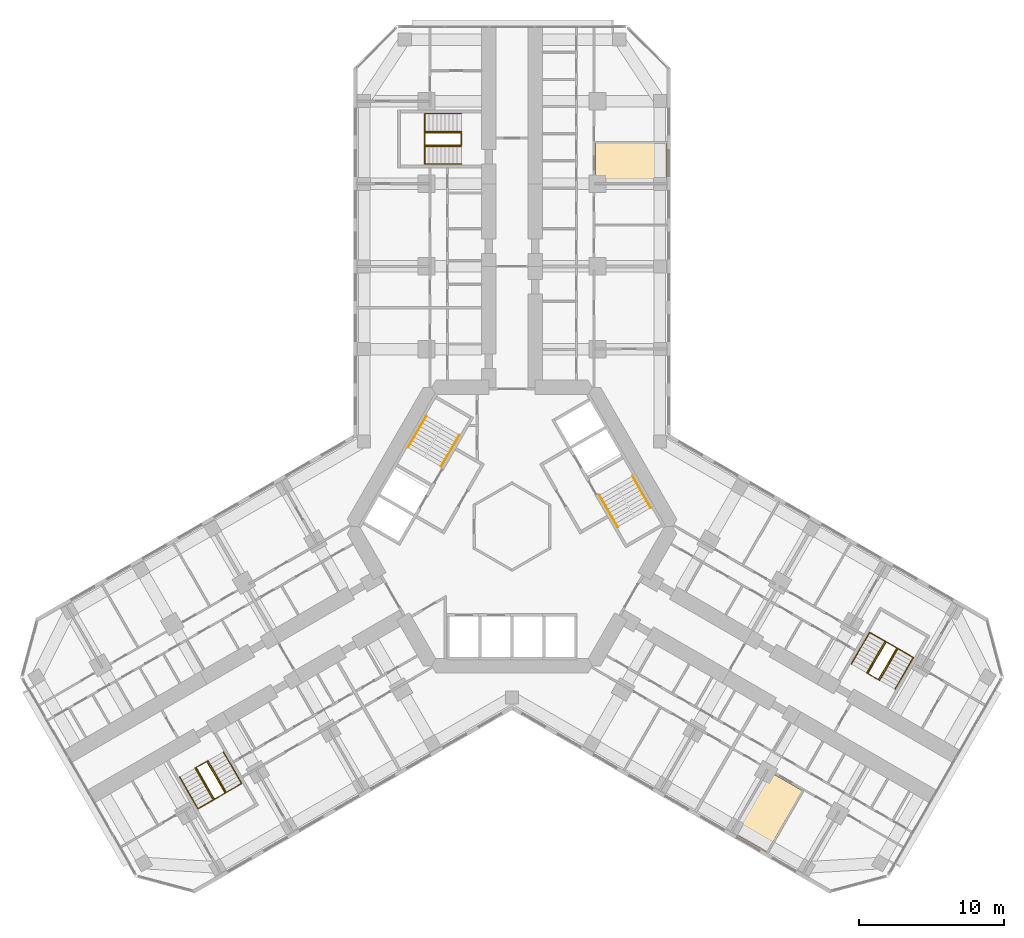
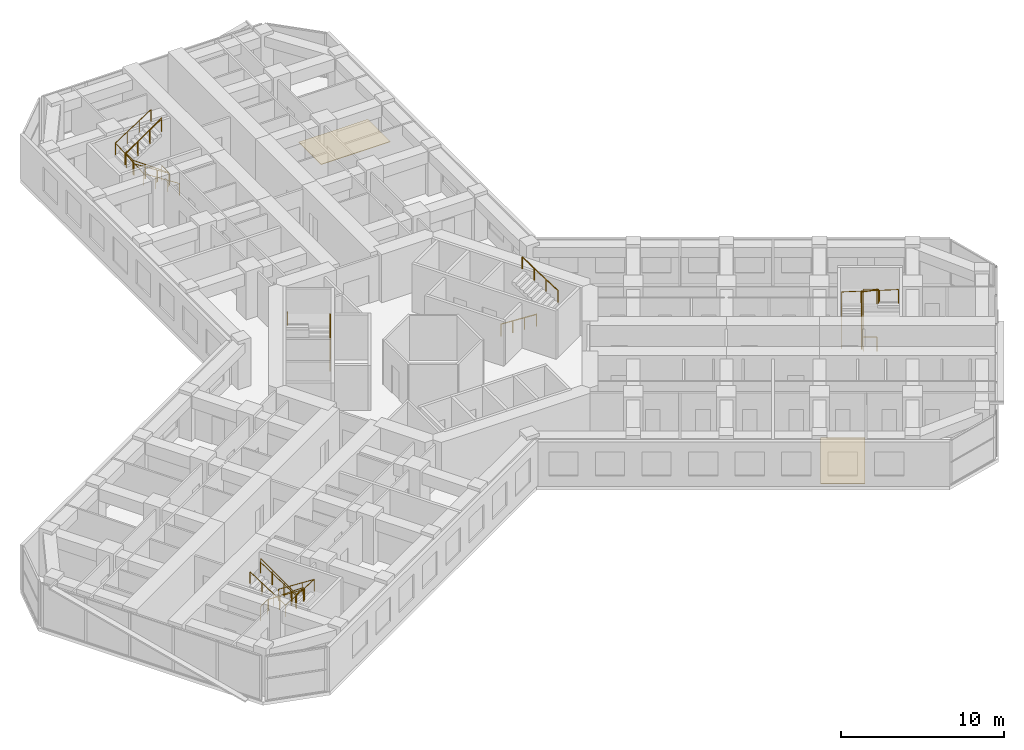
# One storey, part 21 of 21: 13 railings, 2 coverings.
"""IFC4 building model written with IfcOpenShell, lengths in metres."""

from ifc_helpers import new_model, si_unit, direction, frame, origin, origin_2d, place, context, subcontext, project, spatial, polyline, circle, outline, extrude, material, layer, layer_set, type_object, element, save


model = new_model("IFC4")

# Units and contexts
model_context = context("Model", 3, precision=1e-05, world=origin(), true_north=direction((0.0, 1.0)))
body_context = subcontext(model_context, "Body", "Model", "MODEL_VIEW")
ifc_project = project(units=[si_unit("LENGTHUNIT", "METRE"), si_unit("AREAUNIT", "SQUARE_METRE"), si_unit("VOLUMEUNIT", "CUBIC_METRE"), si_unit("PLANEANGLEUNIT", "RADIAN"), si_unit("MASSUNIT", "GRAM", prefix="KILO")], contexts=[model_context])

# Site, building, storey
site_placement = place(None, origin())
site = spatial("IfcSite", under=ifc_project, at=site_placement, CompositionType="ELEMENT")
building_placement = place(site_placement, origin())
building = spatial("IfcBuilding", under=site, at=building_placement, Name="Kosmar Iwan School Tower", CompositionType="ELEMENT")
storey_placement = place(building_placement, frame((0.0, 0.0, 102.39990234375)))
storey = spatial("IfcBuildingStorey", under=building, at=storey_placement, Name="L25", CompositionType="ELEMENT", Elevation=102.39990234375)

# Railings
ifc_material_1 = material(Name="Black steel", Category="steel")
railing_type_1 = type_object("IfcRailingType", Name="Stair handrail 900", PredefinedType="HANDRAIL", material=ifc_material_1)
railing_1_placement = place(storey_placement, frame((-4.89453125, 4.142333984375, 0.18017578125)))
element("IfcRailing", 1, at=railing_1_placement, inside=storey, type_object=railing_type_1, Name="Handrail ST2 flight 1", PredefinedType="HANDRAIL", context=body_context, shape_type="SweptSolid", body=[
    extrude(circle(Radius=0.02392578125, at=origin_2d()), frame((0.0, 0.0, 0.8759765625), z_axis=(0.42060268101, 0.72849590497, 0.54072830624), x_axis=(-0.866022637375, 0.500004791531, 0.0)), (0.0, 0.0, 1.0), 2.99560546875),
    extrude(circle(Radius=0.02099609375, at=origin_2d()), origin(), (0.0, 0.0, 1.0), 0.851806640625),
    extrude(circle(Radius=0.02099609375, at=origin_2d()), frame((0.419921875, 0.7275390625, 0.5400390625)), (0.0, 0.0, 1.0), 0.851806640625),
    extrude(circle(Radius=0.02099609375, at=origin_2d()), frame((0.840087890625, 1.454833984375, 1.079833984375)), (0.0, 0.0, 1.0), 0.851806640625),
    extrude(circle(Radius=0.02099609375, at=origin_2d()), frame((1.260009765625, 2.182373046875, 1.619873046875)), (0.0, 0.0, 1.0), 0.851806640625),
])
railing_2_placement = place(storey_placement, frame((-5.912353515625, 7.6396484375, 1.97998046875)))
element("IfcRailing", 2, at=railing_2_placement, inside=storey, type_object=railing_type_1, Name="Handrail ST2 flight 2", PredefinedType="HANDRAIL", context=body_context, shape_type="SweptSolid", body=[
    extrude(circle(Radius=0.02392578125, at=origin_2d()), frame((0.0, 0.0, 0.8759765625), z_axis=(-0.420584145978, -0.728463801763, 0.540785970299), x_axis=(0.866022637375, -0.500004791531, 0.0)), (0.0, 0.0, 1.0), 2.995849609375),
    extrude(circle(Radius=0.02099609375, at=origin_2d()), origin(), (0.0, 0.0, 1.0), 0.851806640625),
    extrude(circle(Radius=0.02099609375, at=origin_2d()), frame((-0.419921875, -0.7275390625, 0.5400390625)), (0.0, 0.0, 1.0), 0.851806640625),
    extrude(circle(Radius=0.02099609375, at=origin_2d()), frame((-0.840087890625, -1.454833984375, 1.080078125)), (0.0, 0.0, 1.0), 0.851806640625),
    extrude(circle(Radius=0.02099609375, at=origin_2d()), frame((-1.260009765625, -2.182373046875, 1.6201171875)), (0.0, 0.0, 1.0), 0.851806640625),
])
railing_3_placement = place(storey_placement, frame((6.03466796875, 2.167724609375, 0.18017578125)))
element("IfcRailing", 3, at=railing_3_placement, inside=storey, type_object=railing_type_1, Name="Handrail ST1 flight 1", PredefinedType="HANDRAIL", context=body_context, shape_type="SweptSolid", body=[
    extrude(circle(Radius=0.02392578125, at=origin_2d()), frame((0.0, 0.0, 0.8759765625), z_axis=(0.42060268101, -0.72849590497, 0.54072830624), x_axis=(0.866022637375, 0.500004791531, 0.0)), (0.0, 0.0, 1.0), 2.99560546875),
    extrude(circle(Radius=0.02099609375, at=origin_2d()), origin(), (0.0, 0.0, 1.0), 0.851806640625),
    extrude(circle(Radius=0.02099609375, at=origin_2d()), frame((0.419921875, -0.7275390625, 0.5400390625)), (0.0, 0.0, 1.0), 0.851806640625),
    extrude(circle(Radius=0.02099609375, at=origin_2d()), frame((0.840087890625, -1.454833984375, 1.079833984375)), (0.0, 0.0, 1.0), 0.851806640625),
    extrude(circle(Radius=0.02099609375, at=origin_2d()), frame((1.260009765625, -2.182373046875, 1.619873046875)), (0.0, 0.0, 1.0), 0.851806640625),
])
railing_4_placement = place(storey_placement, frame((9.572265625, 1.30029296875, 1.97998046875)))
element("IfcRailing", 4, at=railing_4_placement, inside=storey, type_object=railing_type_1, Name="Handrail ST1 flight 2", PredefinedType="HANDRAIL", context=body_context, shape_type="SweptSolid", body=[
    extrude(circle(Radius=0.02392578125, at=origin_2d()), frame((0.0, 0.0, 0.8759765625), z_axis=(-0.420584145978, 0.728463801763, 0.540785970299), x_axis=(-0.866022637375, -0.500004791531, 0.0)), (0.0, 0.0, 1.0), 2.995849609375),
    extrude(circle(Radius=0.02099609375, at=origin_2d()), origin(), (0.0, 0.0, 1.0), 0.851806640625),
    extrude(circle(Radius=0.02099609375, at=origin_2d()), frame((-0.419921875, 0.7275390625, 0.5400390625)), (0.0, 0.0, 1.0), 0.851806640625),
    extrude(circle(Radius=0.02099609375, at=origin_2d()), frame((-0.840087890625, 1.454833984375, 1.080078125)), (0.0, 0.0, 1.0), 0.851806640625),
    extrude(circle(Radius=0.02099609375, at=origin_2d()), frame((-1.260009765625, 2.182373046875, 1.6201171875)), (0.0, 0.0, 1.0), 0.851806640625),
])
railing_5_placement = place(storey_placement, frame((-3.5, 25.010009765625, 0.18017578125)))
element("IfcRailing", 5, at=railing_5_placement, inside=storey, type_object=railing_type_1, Name="Handrail stair WS1 L25 wall side", PredefinedType="HANDRAIL", context=body_context, shape_type="SweptSolid", body=[
    extrude(circle(Radius=0.02392578125, at=origin_2d()), frame((0.0, 0.0, 0.8759765625), z_axis=(-0.841199657755, 0.0, 0.540724639528), x_axis=(0.0, -1.0, 0.0)), (0.0, 0.0, 1.0), 2.995849609375),
    extrude(circle(Radius=0.02392578125, at=origin_2d()), frame((-2.52001953125, 0.0, 2.49560546875), z_axis=(0.0, 0.998665981786, 0.051635809497), x_axis=(-1.0, 0.0, 0.0)), (0.0, 0.0, 1.0), 3.484619140625),
    extrude(circle(Radius=0.02392578125, at=origin_2d()), frame((-2.52001953125, 3.47998046875, 2.67578125), z_axis=(0.841162588446, 0.0, 0.540782303519), x_axis=(0.0, 1.0, 0.0)), (0.0, 0.0, 1.0), 2.995849609375),
    extrude(circle(Radius=0.02099609375, at=origin_2d()), origin(), (0.0, 0.0, 1.0), 0.851806640625),
    extrude(circle(Radius=0.02099609375, at=origin_2d()), frame((-0.840087890625, 0.0, 0.5400390625)), (0.0, 0.0, 1.0), 0.851806640625),
    extrude(circle(Radius=0.02099609375, at=origin_2d()), frame((-1.679931640625, 0.0, 1.079833984375)), (0.0, 0.0, 1.0), 0.851806640625),
    extrude(circle(Radius=0.02099609375, at=origin_2d()), frame((-2.52001953125, 0.0, 1.619873046875)), (0.0, 0.0, 1.0), 0.851806640625),
    extrude(circle(Radius=0.02099609375, at=origin_2d()), frame((-2.52001953125, 1.159912109375, 1.679931640625)), (0.0, 0.0, 1.0), 0.851806640625),
    extrude(circle(Radius=0.02099609375, at=origin_2d()), frame((-2.52001953125, 2.320068359375, 1.73974609375)), (0.0, 0.0, 1.0), 0.851806640625),
    extrude(circle(Radius=0.02099609375, at=origin_2d()), frame((-2.52001953125, 3.47998046875, 1.7998046875)), (0.0, 0.0, 1.0), 0.851806640625),
    extrude(circle(Radius=0.02099609375, at=origin_2d()), frame((-1.679931640625, 3.47998046875, 2.33984375)), (0.0, 0.0, 1.0), 0.851806640625),
    extrude(circle(Radius=0.02099609375, at=origin_2d()), frame((-0.840087890625, 3.47998046875, 2.8798828125)), (0.0, 0.0, 1.0), 0.851806640625),
    extrude(circle(Radius=0.02099609375, at=origin_2d()), frame((0.0, 3.47998046875, 3.419921875)), (0.0, 0.0, 1.0), 0.851806640625),
])
railing_6_placement = place(storey_placement, frame((-3.5, 26.239990234375, 0.18017578125)))
element("IfcRailing", 6, at=railing_6_placement, inside=storey, type_object=railing_type_1, Name="Handrail stair WS1 L25 well side", PredefinedType="HANDRAIL", context=body_context, shape_type="SweptSolid", body=[
    extrude(circle(Radius=0.02392578125, at=origin_2d()), frame((0.0, 0.0, 0.8759765625), z_axis=(-0.841199657755, 0.0, 0.540724639528), x_axis=(0.0, -1.0, 0.0)), (0.0, 0.0, 1.0), 2.995849609375),
    extrude(circle(Radius=0.02392578125, at=origin_2d()), frame((-2.52001953125, 0.0, 2.49560546875), z_axis=(0.0, 0.984795421109, 0.173718100851), x_axis=(-1.0, 0.0, 0.0)), (0.0, 0.0, 1.0), 1.035888671875),
    extrude(circle(Radius=0.02392578125, at=origin_2d()), frame((-2.52001953125, 1.02001953125, 2.67578125), z_axis=(0.841162588446, 0.0, 0.540782303519), x_axis=(0.0, 1.0, 0.0)), (0.0, 0.0, 1.0), 2.995849609375),
    extrude(circle(Radius=0.02099609375, at=origin_2d()), origin(), (0.0, 0.0, 1.0), 0.851806640625),
    extrude(circle(Radius=0.02099609375, at=origin_2d()), frame((-0.840087890625, 0.0, 0.5400390625)), (0.0, 0.0, 1.0), 0.851806640625),
    extrude(circle(Radius=0.02099609375, at=origin_2d()), frame((-1.679931640625, 0.0, 1.079833984375)), (0.0, 0.0, 1.0), 0.851806640625),
    extrude(circle(Radius=0.02099609375, at=origin_2d()), frame((-2.52001953125, 0.0, 1.619873046875)), (0.0, 0.0, 1.0), 0.851806640625),
    extrude(circle(Radius=0.02099609375, at=origin_2d()), frame((-2.52001953125, 1.02001953125, 1.7998046875)), (0.0, 0.0, 1.0), 0.851806640625),
    extrude(circle(Radius=0.02099609375, at=origin_2d()), frame((-1.679931640625, 1.02001953125, 2.33984375)), (0.0, 0.0, 1.0), 0.851806640625),
    extrude(circle(Radius=0.02099609375, at=origin_2d()), frame((-0.840087890625, 1.02001953125, 2.8798828125)), (0.0, 0.0, 1.0), 0.851806640625),
    extrude(circle(Radius=0.02099609375, at=origin_2d()), frame((0.0, 1.02001953125, 3.419921875)), (0.0, 0.0, 1.0), 0.851806640625),
])
railing_7_placement = place(storey_placement, frame((-19.9091796875, -15.5361328125, 0.18017578125)))
element("IfcRailing", 7, at=railing_7_placement, inside=storey, type_object=railing_type_1, Name="Handrail stair WS2 L25 wall side", PredefinedType="HANDRAIL", context=body_context, shape_type="SweptSolid", body=[
    extrude(circle(Radius=0.02392578125, at=origin_2d()), frame((0.0, 0.0, 0.8759765625), z_axis=(0.420535598452, -0.728520874915, 0.540746840257), x_axis=(0.866064587494, 0.499932125682, 0.0)), (0.0, 0.0, 1.0), 2.99560546875),
    extrude(circle(Radius=0.02392578125, at=origin_2d()), frame((1.259765625, -2.182373046875, 2.49560546875), z_axis=(-0.864864352349, -0.499342858003, 0.051636829851), x_axis=(0.500009906705, -0.86601968407, 0.0)), (0.0, 0.0, 1.0), 3.484619140625),
    extrude(circle(Radius=0.02392578125, at=origin_2d()), frame((-1.75390625, -3.92236328125, 2.67578125), z_axis=(-0.420584145978, 0.728463801763, 0.540785970299), x_axis=(-0.866022637375, -0.500004791531, 0.0)), (0.0, 0.0, 1.0), 2.995849609375),
    extrude(circle(Radius=0.02099609375, at=origin_2d()), origin(), (0.0, 0.0, 1.0), 0.851806640625),
    extrude(circle(Radius=0.02099609375, at=origin_2d()), frame((0.419921875, -0.7275390625, 0.5400390625)), (0.0, 0.0, 1.0), 0.851806640625),
    extrude(circle(Radius=0.02099609375, at=origin_2d()), frame((0.83984375, -1.454833984375, 1.079833984375)), (0.0, 0.0, 1.0), 0.851806640625),
    extrude(circle(Radius=0.02099609375, at=origin_2d()), frame((1.259765625, -2.182373046875, 1.619873046875)), (0.0, 0.0, 1.0), 0.851806640625),
    extrude(circle(Radius=0.02099609375, at=origin_2d()), frame((0.255126953125, -2.762451171875, 1.679931640625)), (0.0, 0.0, 1.0), 0.851806640625),
    extrude(circle(Radius=0.02099609375, at=origin_2d()), frame((-0.749267578125, -3.34228515625, 1.73974609375)), (0.0, 0.0, 1.0), 0.851806640625),
    extrude(circle(Radius=0.02099609375, at=origin_2d()), frame((-1.75390625, -3.92236328125, 1.7998046875)), (0.0, 0.0, 1.0), 0.851806640625),
    extrude(circle(Radius=0.02099609375, at=origin_2d()), frame((-2.173828125, -3.19482421875, 2.33984375)), (0.0, 0.0, 1.0), 0.851806640625),
    extrude(circle(Radius=0.02099609375, at=origin_2d()), frame((-2.593994140625, -2.467529296875, 2.8798828125)), (0.0, 0.0, 1.0), 0.851806640625),
    extrude(circle(Radius=0.02099609375, at=origin_2d()), frame((-3.013916015625, -1.739990234375, 3.419921875)), (0.0, 0.0, 1.0), 0.851806640625),
])
railing_8_placement = place(storey_placement, frame((-20.974609375, -16.151123046875, 0.18017578125)))
element("IfcRailing", 8, at=railing_8_placement, inside=storey, type_object=railing_type_1, Name="Handrail stair WS2 L25 well side", PredefinedType="HANDRAIL", context=body_context, shape_type="SweptSolid", body=[
    extrude(circle(Radius=0.02392578125, at=origin_2d()), frame((0.0, 0.0, 0.8759765625), z_axis=(0.42060268101, -0.72849590497, 0.54072830624), x_axis=(0.866022637375, 0.500004791531, 0.0)), (0.0, 0.0, 1.0), 2.99560546875),
    extrude(circle(Radius=0.02392578125, at=origin_2d()), frame((1.260009765625, -2.182373046875, 2.49560546875), z_axis=(-0.852841519511, -0.492422867401, 0.173726976197), x_axis=(0.500026340207, -0.866010195725, 0.0)), (0.0, 0.0, 1.0), 1.03564453125),
    extrude(circle(Radius=0.02392578125, at=origin_2d()), frame((0.376708984375, -2.6923828125, 2.67578125), z_axis=(-0.420584145978, 0.728463801763, 0.540785970299), x_axis=(-0.866022637375, -0.500004791531, 0.0)), (0.0, 0.0, 1.0), 2.995849609375),
    extrude(circle(Radius=0.02099609375, at=origin_2d()), origin(), (0.0, 0.0, 1.0), 0.851806640625),
    extrude(circle(Radius=0.02099609375, at=origin_2d()), frame((0.419921875, -0.7275390625, 0.5400390625)), (0.0, 0.0, 1.0), 0.851806640625),
    extrude(circle(Radius=0.02099609375, at=origin_2d()), frame((0.840087890625, -1.454833984375, 1.079833984375)), (0.0, 0.0, 1.0), 0.851806640625),
    extrude(circle(Radius=0.02099609375, at=origin_2d()), frame((1.260009765625, -2.182373046875, 1.619873046875)), (0.0, 0.0, 1.0), 0.851806640625),
    extrude(circle(Radius=0.02099609375, at=origin_2d()), frame((0.376708984375, -2.6923828125, 1.7998046875)), (0.0, 0.0, 1.0), 0.851806640625),
    extrude(circle(Radius=0.02099609375, at=origin_2d()), frame((-0.043212890625, -1.96484375, 2.33984375)), (0.0, 0.0, 1.0), 0.851806640625),
    extrude(circle(Radius=0.02099609375, at=origin_2d()), frame((-0.46337890625, -1.237548828125, 2.8798828125)), (0.0, 0.0, 1.0), 0.851806640625),
    extrude(circle(Radius=0.02099609375, at=origin_2d()), frame((-0.88330078125, -0.510009765625, 3.419921875)), (0.0, 0.0, 1.0), 0.851806640625),
])
railing_9_placement = place(storey_placement, frame((23.4091796875, -9.473876953125, 0.18017578125)))
element("IfcRailing", 9, at=railing_9_placement, inside=storey, type_object=railing_type_1, Name="Handrail stair WS3 L25 wall side", PredefinedType="HANDRAIL", context=body_context, shape_type="SweptSolid", body=[
    extrude(circle(Radius=0.02392578125, at=origin_2d()), frame((0.0, 0.0, 0.8759765625), z_axis=(0.42060268101, 0.72849590497, 0.54072830624), x_axis=(-0.866022637375, 0.500004791531, 0.0)), (0.0, 0.0, 1.0), 2.99560546875),
    extrude(circle(Radius=0.02392578125, at=origin_2d()), frame((1.260009765625, 2.182373046875, 2.49560546875), z_axis=(0.864882007433, -0.499312601618, 0.051633701051), x_axis=(0.499979528911, 0.866037222451, 0.0)), (0.0, 0.0, 1.0), 3.48486328125),
    extrude(circle(Radius=0.02392578125, at=origin_2d()), frame((4.27392578125, 0.4423828125, 2.67578125), z_axis=(-0.420584145978, -0.728463801763, 0.540785970299), x_axis=(0.866022637375, -0.500004791531, 0.0)), (0.0, 0.0, 1.0), 2.995849609375),
    extrude(circle(Radius=0.02099609375, at=origin_2d()), origin(), (0.0, 0.0, 1.0), 0.851806640625),
    extrude(circle(Radius=0.02099609375, at=origin_2d()), frame((0.419921875, 0.7275390625, 0.5400390625)), (0.0, 0.0, 1.0), 0.851806640625),
    extrude(circle(Radius=0.02099609375, at=origin_2d()), frame((0.840087890625, 1.454833984375, 1.079833984375)), (0.0, 0.0, 1.0), 0.851806640625),
    extrude(circle(Radius=0.02099609375, at=origin_2d()), frame((1.260009765625, 2.182373046875, 1.619873046875)), (0.0, 0.0, 1.0), 0.851806640625),
    extrude(circle(Radius=0.02099609375, at=origin_2d()), frame((2.2646484375, 1.602294921875, 1.679931640625)), (0.0, 0.0, 1.0), 0.851806640625),
    extrude(circle(Radius=0.02099609375, at=origin_2d()), frame((3.269287109375, 1.0224609375, 1.73974609375)), (0.0, 0.0, 1.0), 0.851806640625),
    extrude(circle(Radius=0.02099609375, at=origin_2d()), frame((4.27392578125, 0.4423828125, 1.7998046875)), (0.0, 0.0, 1.0), 0.851806640625),
    extrude(circle(Radius=0.02099609375, at=origin_2d()), frame((3.85400390625, -0.28515625, 2.33984375)), (0.0, 0.0, 1.0), 0.851806640625),
    extrude(circle(Radius=0.02099609375, at=origin_2d()), frame((3.433837890625, -1.012451171875, 2.8798828125)), (0.0, 0.0, 1.0), 0.851806640625),
    extrude(circle(Radius=0.02099609375, at=origin_2d()), frame((3.013916015625, -1.739990234375, 3.419921875)), (0.0, 0.0, 1.0), 0.851806640625),
])
railing_10_placement = place(storey_placement, frame((24.474609375, -10.0888671875, 0.18017578125)))
element("IfcRailing", 10, at=railing_10_placement, inside=storey, type_object=railing_type_1, Name="Handrail stair WS3 L25 well side", PredefinedType="HANDRAIL", context=body_context, shape_type="SweptSolid", body=[
    extrude(circle(Radius=0.02392578125, at=origin_2d()), frame((0.0, 0.0, 0.8759765625), z_axis=(0.42060268101, 0.72849590497, 0.54072830624), x_axis=(-0.866022637375, 0.500004791531, 0.0)), (0.0, 0.0, 1.0), 2.99560546875),
    extrude(circle(Radius=0.02392578125, at=origin_2d()), frame((1.260009765625, 2.182373046875, 2.49560546875), z_axis=(0.852841519511, -0.492422867401, 0.173726976197), x_axis=(0.500026340207, 0.866010195725, 0.0)), (0.0, 0.0, 1.0), 1.03564453125),
    extrude(circle(Radius=0.02392578125, at=origin_2d()), frame((2.143310546875, 1.67236328125, 2.67578125), z_axis=(-0.420584145978, -0.728463801763, 0.540785970299), x_axis=(0.866022637375, -0.500004791531, 0.0)), (0.0, 0.0, 1.0), 2.995849609375),
    extrude(circle(Radius=0.02099609375, at=origin_2d()), origin(), (0.0, 0.0, 1.0), 0.851806640625),
    extrude(circle(Radius=0.02099609375, at=origin_2d()), frame((0.419921875, 0.7275390625, 0.5400390625)), (0.0, 0.0, 1.0), 0.851806640625),
    extrude(circle(Radius=0.02099609375, at=origin_2d()), frame((0.840087890625, 1.454833984375, 1.079833984375)), (0.0, 0.0, 1.0), 0.851806640625),
    extrude(circle(Radius=0.02099609375, at=origin_2d()), frame((1.260009765625, 2.182373046875, 1.619873046875)), (0.0, 0.0, 1.0), 0.851806640625),
    extrude(circle(Radius=0.02099609375, at=origin_2d()), frame((2.143310546875, 1.67236328125, 1.7998046875)), (0.0, 0.0, 1.0), 0.851806640625),
    extrude(circle(Radius=0.02099609375, at=origin_2d()), frame((1.723388671875, 0.94482421875, 2.33984375)), (0.0, 0.0, 1.0), 0.851806640625),
    extrude(circle(Radius=0.02099609375, at=origin_2d()), frame((1.30322265625, 0.217529296875, 2.8798828125)), (0.0, 0.0, 1.0), 0.851806640625),
    extrude(circle(Radius=0.02099609375, at=origin_2d()), frame((0.88330078125, -0.510009765625, 3.419921875)), (0.0, 0.0, 1.0), 0.851806640625),
])
ifc_material_2 = material(Name="Black steel", Category="steel")
railing_type_2 = type_object("IfcRailingType", Name="Stair well guard 1100", PredefinedType="GUARDRAIL", material=ifc_material_2)
railing_11_placement = place(storey_placement, frame((-3.5, 27.169921875, 0.0)))
element("IfcRailing", 11, at=railing_11_placement, inside=storey, type_object=railing_type_2, Name="Stair WS1 L25 well guard", PredefinedType="GUARDRAIL", context=body_context, shape_type="SweptSolid", body=[
    extrude(circle(Radius=0.02392578125, at=origin_2d()), frame((0.0, 0.0, 1.076171875), z_axis=(0.0, -1.0, 0.0), x_axis=(1.0, 0.0, 0.0)), (0.0, 0.0, 1.0), 0.83984375),
    extrude(circle(Radius=0.02392578125, at=origin_2d()), frame((0.0, -0.83984375, 1.076171875), z_axis=(-0.813728144527, 0.0, 0.581245650998), x_axis=(0.0, -1.0, 0.0)), (0.0, 0.0, 1.0), 3.096923828125),
    extrude(circle(Radius=0.02392578125, at=origin_2d()), frame((-2.52001953125, -0.83984375, 2.8759765625), z_axis=(0.0, 1.0, 0.0), x_axis=(-1.0, 0.0, 0.0)), (0.0, 0.0, 1.0), 0.83984375),
    extrude(circle(Radius=0.02392578125, at=origin_2d()), frame((-2.52001953125, 0.0, 2.8759765625), z_axis=(0.813728144527, 0.0, 0.581245650998), x_axis=(0.0, 1.0, 0.0)), (0.0, 0.0, 1.0), 3.096923828125),
    extrude(circle(Radius=0.02099609375, at=origin_2d()), origin(), (0.0, 0.0, 1.0), 1.052001953125),
    extrude(circle(Radius=0.02099609375, at=origin_2d()), frame((0.0, -0.83984375, 0.0)), (0.0, 0.0, 1.0), 1.052001953125),
    extrude(circle(Radius=0.02099609375, at=origin_2d()), frame((-0.840087890625, -0.83984375, 0.60009765625)), (0.0, 0.0, 1.0), 1.052001953125),
    extrude(circle(Radius=0.02099609375, at=origin_2d()), frame((-1.679931640625, -0.83984375, 1.199951171875)), (0.0, 0.0, 1.0), 1.052001953125),
    extrude(circle(Radius=0.02099609375, at=origin_2d()), frame((-2.52001953125, -0.83984375, 1.800048828125)), (0.0, 0.0, 1.0), 1.052001953125),
    extrude(circle(Radius=0.02099609375, at=origin_2d()), frame((-2.52001953125, 0.0, 1.800048828125)), (0.0, 0.0, 1.0), 1.052001953125),
    extrude(circle(Radius=0.02099609375, at=origin_2d()), frame((-1.679931640625, 0.0, 2.400146484375)), (0.0, 0.0, 1.0), 1.052001953125),
    extrude(circle(Radius=0.02099609375, at=origin_2d()), frame((-0.840087890625, 0.0, 3.0)), (0.0, 0.0, 1.0), 1.052001953125),
    extrude(circle(Radius=0.02099609375, at=origin_2d()), frame((0.0, 0.0, 3.60009765625)), (0.0, 0.0, 1.0), 1.052001953125),
])
railing_12_placement = place(storey_placement, frame((-21.780029296875, -16.6162109375, 0.0)))
element("IfcRailing", 12, at=railing_12_placement, inside=storey, type_object=railing_type_2, Name="Stair WS2 L25 well guard", PredefinedType="GUARDRAIL", context=body_context, shape_type="SweptSolid", body=[
    extrude(circle(Radius=0.02392578125, at=origin_2d()), frame((0.0, 0.0, 1.076171875), z_axis=(0.865962960534, 0.500108139288, 0.0), x_axis=(-0.500108139288, 0.865962960534, 0.0)), (0.0, 0.0, 1.0), 0.840087890625),
    extrude(circle(Radius=0.02392578125, at=origin_2d()), frame((0.7275390625, 0.420166015625, 1.076171875), z_axis=(0.40686665399, -0.704704712268, 0.58124933925), x_axis=(0.866022637375, 0.500004791531, 0.0)), (0.0, 0.0, 1.0), 3.096923828125),
    extrude(circle(Radius=0.02392578125, at=origin_2d()), frame((1.987548828125, -1.76220703125, 2.8759765625), z_axis=(-0.865962960534, -0.500108139288, 0.0), x_axis=(0.500108139288, -0.865962960534, 0.0)), (0.0, 0.0, 1.0), 0.840087890625),
    extrude(circle(Radius=0.02392578125, at=origin_2d()), frame((1.260009765625, -2.182373046875, 2.8759765625), z_axis=(-0.40686665399, 0.704704712268, 0.58124933925), x_axis=(-0.866022637375, -0.500004791531, 0.0)), (0.0, 0.0, 1.0), 3.096923828125),
    extrude(circle(Radius=0.02099609375, at=origin_2d()), origin(), (0.0, 0.0, 1.0), 1.052001953125),
    extrude(circle(Radius=0.02099609375, at=origin_2d()), frame((0.7275390625, 0.420166015625, 0.0)), (0.0, 0.0, 1.0), 1.052001953125),
    extrude(circle(Radius=0.02099609375, at=origin_2d()), frame((1.1474609375, -0.307373046875, 0.60009765625)), (0.0, 0.0, 1.0), 1.052001953125),
    extrude(circle(Radius=0.02099609375, at=origin_2d()), frame((1.567626953125, -1.03466796875, 1.199951171875)), (0.0, 0.0, 1.0), 1.052001953125),
    extrude(circle(Radius=0.02099609375, at=origin_2d()), frame((1.987548828125, -1.76220703125, 1.800048828125)), (0.0, 0.0, 1.0), 1.052001953125),
    extrude(circle(Radius=0.02099609375, at=origin_2d()), frame((1.260009765625, -2.182373046875, 1.800048828125)), (0.0, 0.0, 1.0), 1.052001953125),
    extrude(circle(Radius=0.02099609375, at=origin_2d()), frame((0.840087890625, -1.454833984375, 2.400146484375)), (0.0, 0.0, 1.0), 1.052001953125),
    extrude(circle(Radius=0.02099609375, at=origin_2d()), frame((0.419921875, -0.7275390625, 3.0)), (0.0, 0.0, 1.0), 1.052001953125),
    extrude(circle(Radius=0.02099609375, at=origin_2d()), frame((0.0, 0.0, 3.60009765625)), (0.0, 0.0, 1.0), 1.052001953125),
])
railing_13_placement = place(storey_placement, frame((25.280029296875, -10.553955078125, 0.0)))
element("IfcRailing", 13, at=railing_13_placement, inside=storey, type_object=railing_type_2, Name="Stair WS3 L25 well guard", PredefinedType="GUARDRAIL", context=body_context, shape_type="SweptSolid", body=[
    extrude(circle(Radius=0.02392578125, at=origin_2d()), frame((0.0, 0.0, 1.076171875), z_axis=(-0.865962960534, 0.500108139288, 0.0), x_axis=(-0.500108139288, -0.865962960534, 0.0)), (0.0, 0.0, 1.0), 0.840087890625),
    extrude(circle(Radius=0.02392578125, at=origin_2d()), frame((-0.7275390625, 0.420166015625, 1.076171875), z_axis=(0.40686665399, 0.704704712268, 0.58124933925), x_axis=(-0.866022637375, 0.500004791531, 0.0)), (0.0, 0.0, 1.0), 3.096923828125),
    extrude(circle(Radius=0.02392578125, at=origin_2d()), frame((0.532470703125, 2.6025390625, 2.8759765625), z_axis=(0.865890253765, -0.500234013672, 0.0), x_axis=(0.500234013672, 0.865890253765, 0.0)), (0.0, 0.0, 1.0), 0.83984375),
    extrude(circle(Radius=0.02392578125, at=origin_2d()), frame((1.259765625, 2.182373046875, 2.8759765625), z_axis=(-0.406800866334, -0.70472731476, 0.58126798207), x_axis=(0.866064587494, -0.499932125682, 0.0)), (0.0, 0.0, 1.0), 3.0966796875),
    extrude(circle(Radius=0.02099609375, at=origin_2d()), origin(), (0.0, 0.0, 1.0), 1.052001953125),
    extrude(circle(Radius=0.02099609375, at=origin_2d()), frame((-0.7275390625, 0.420166015625, 0.0)), (0.0, 0.0, 1.0), 1.052001953125),
    extrude(circle(Radius=0.02099609375, at=origin_2d()), frame((-0.3076171875, 1.147705078125, 0.60009765625)), (0.0, 0.0, 1.0), 1.052001953125),
    extrude(circle(Radius=0.02099609375, at=origin_2d()), frame((0.112548828125, 1.875, 1.199951171875)), (0.0, 0.0, 1.0), 1.052001953125),
    extrude(circle(Radius=0.02099609375, at=origin_2d()), frame((0.532470703125, 2.6025390625, 1.800048828125)), (0.0, 0.0, 1.0), 1.052001953125),
    extrude(circle(Radius=0.02099609375, at=origin_2d()), frame((1.259765625, 2.182373046875, 1.800048828125)), (0.0, 0.0, 1.0), 1.052001953125),
    extrude(circle(Radius=0.02099609375, at=origin_2d()), frame((0.83984375, 1.454833984375, 2.400146484375)), (0.0, 0.0, 1.0), 1.052001953125),
    extrude(circle(Radius=0.02099609375, at=origin_2d()), frame((0.419921875, 0.7275390625, 3.0)), (0.0, 0.0, 1.0), 1.052001953125),
    extrude(circle(Radius=0.02099609375, at=origin_2d()), frame((0.0, 0.0, 3.60009765625)), (0.0, 0.0, 1.0), 1.052001953125),
])

# Coverings
ifc_material_3 = material(Name="Honed limestone on mortar bed", Category="masonry")
ifc_layer = layer(ifc_material_3, 0.0400390625)
ifc_layer_set = layer_set([ifc_layer], Name="Winter garden stone flooring 40")
covering_type = type_object("IfcCoveringType", Name="Winter garden stone flooring 40", PredefinedType="FLOORING", material=ifc_layer_set)
covering_1_placement = place(storey_placement, origin())
element("IfcCovering", 14, at=covering_1_placement, inside=storey, type_object=covering_type, Name="Winter garden flooring L25-AR2-F3", PredefinedType="FLOORING", context=body_context, shape_type="SweptSolid", body=[
    extrude(outline(polyline([(5.760009765625, 23.699951171875), (10.64990234375, 23.699951171875), (10.64990234375, 26.449951171875), (5.760009765625, 26.449951171875), (5.760009765625, 23.699951171875)])), origin(), (0.0, 0.0, 1.0), 0.0400390625),
])
covering_2_placement = place(storey_placement, origin())
element("IfcCovering", 15, at=covering_2_placement, inside=storey, type_object=covering_type, Name="Winter garden flooring L25-CR2-F2", PredefinedType="FLOORING", context=body_context, shape_type="SweptSolid", body=[
    extrude(outline(polyline([(17.581298828125, -22.4482421875), (20.0263671875, -18.21337890625), (17.644775390625, -16.83837890625), (15.19970703125, -21.0732421875), (17.581298828125, -22.4482421875)])), origin(), (0.0, 0.0, 1.0), 0.0400390625),
])

save(model, "model.ifc")
